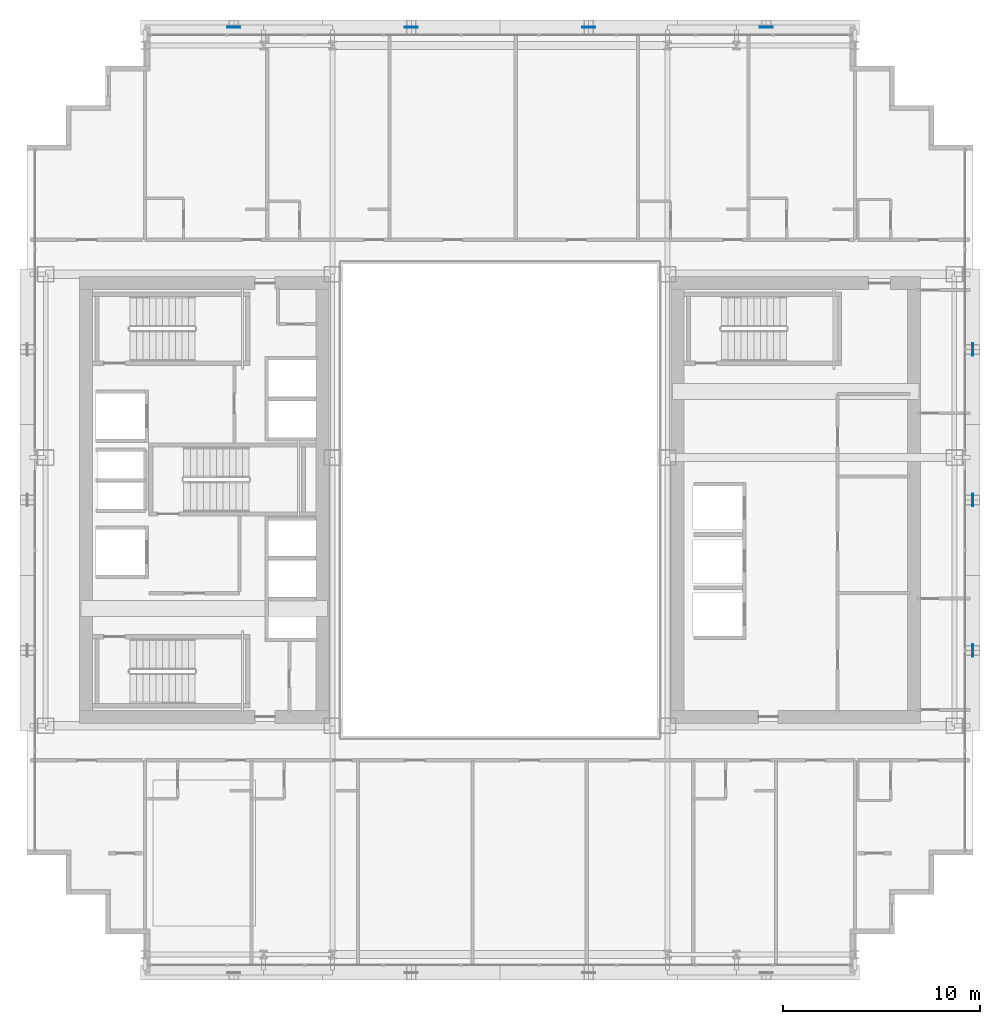
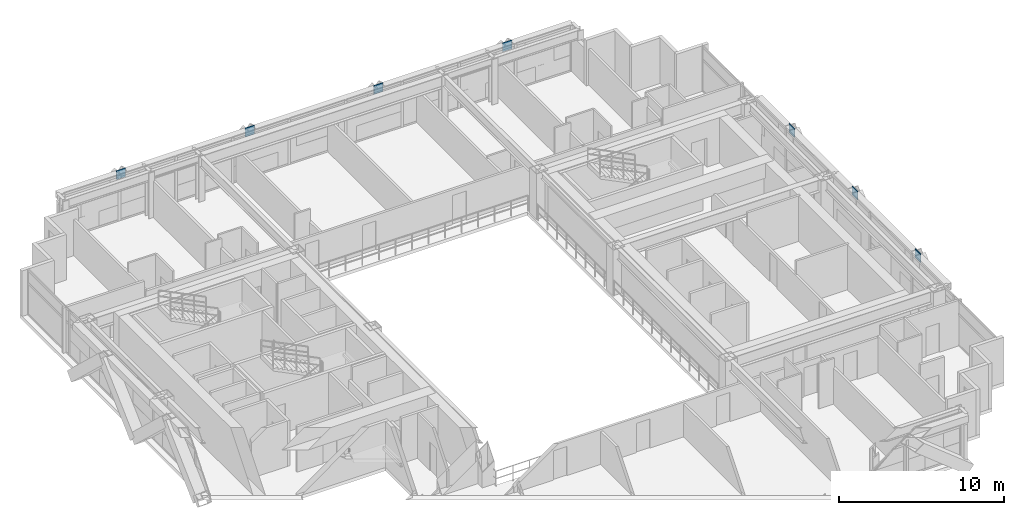
# One storey, part 26 of 35: 7 plates.
"""IFC4 building model written with IfcOpenShell, lengths in metres."""

from ifc_helpers import new_model, si_unit, direction, frame, origin, origin_2d, place, context, subcontext, project, spatial, rectangle, extrude, source, transform, mapped, material, layer, layer_set, type_object, element, save


model = new_model("IFC4")

# Units and contexts
model_context = context("Model", 3, precision=1e-05, world=origin(), true_north=direction((0.0, 1.0)))
body_context = subcontext(model_context, "Body", "Model", "MODEL_VIEW")
ifc_project = project(units=[si_unit("LENGTHUNIT", "METRE"), si_unit("AREAUNIT", "SQUARE_METRE"), si_unit("VOLUMEUNIT", "CUBIC_METRE"), si_unit("PLANEANGLEUNIT", "RADIAN"), si_unit("MASSUNIT", "GRAM", prefix="KILO")], contexts=[model_context])

# Site, building, storey
site_placement = place(None, origin())
site = spatial("IfcSite", under=ifc_project, at=site_placement, CompositionType="ELEMENT")
building_placement = place(site_placement, origin())
building = spatial("IfcBuilding", under=site, at=building_placement, Name="Ocotamira Hotel", CompositionType="ELEMENT")
storey_placement = place(building_placement, frame((0.0, 0.0, 118.800048828125)))
storey = spatial("IfcBuildingStorey", under=building, at=storey_placement, Name="L29", CompositionType="ELEMENT", Elevation=118.800048828125)

# Plates
ifc_material = material(Name="Pale-metal coated steel ASTM A572 Grade 50", Category="steel")
ifc_layer = layer(ifc_material, 0.0400390625)
ifc_layer_set = layer_set([ifc_layer], Name="Pale-metal coated steel ASTM A572 Grade 50")
plate_type = type_object("IfcPlateType", Name="PLT-GUSSET-40", PredefinedType="SHEET", material=ifc_layer_set)
shared_shape_1 = source(origin(), body_context, "Body", "SweptSolid", [
    extrude(rectangle(XDim=0.64990234375, YDim=0.0400390625, at=origin_2d()), origin(), (0.0, 0.0, 1.0), 0.64990234375),
])
for number, where, z_axis, x_axis, name in (
    (1, (18.5, 49.969970703125, 2.784912109375), (0.0, 0.0, 1.0), (1.0, 0.0, 0.0), "L29 Exoskeleton Diagrid N0.1 End Gusset B"),
    (2, (27.5, 49.969970703125, 2.784912109375), (0.0, 0.0, 1.0), (1.0, 0.0, 0.0), "L29 Exoskeleton Diagrid N1.1 End Gusset B"),
    (3, (36.5, 49.969970703125, 2.784912109375), (0.0, 0.0, 1.0), (1.0, 0.0, 0.0), "L29 Exoskeleton Diagrid N2.1 End Gusset B"),
    (4, (45.5, 49.969970703125, 2.784912109375), (0.0, 0.0, 1.0), (1.0, 0.0, 0.0), "L29 Exoskeleton Diagrid N3.1 End Gusset B"),
):
    element("IfcPlate", number, at=place(storey_placement, frame(where, z_axis=z_axis, x_axis=x_axis)), inside=storey, type_object=plate_type, Name=name, PredefinedType="SHEET", context=body_context, shape_type="MappedRepresentation", body=[
        mapped(shared_shape_1, transform((0.0, 0.0, 0.0), scale=1.0)),
    ])
shared_shape_2 = source(origin(), body_context, "Body", "SweptSolid", [
    extrude(rectangle(XDim=0.0400390625, YDim=0.64990234375, at=origin_2d()), origin(), (0.0, 0.0, 1.0), 0.64990234375),
])
for number, where, z_axis, x_axis, name in (
    (5, (55.969970703125, 18.36669921875, 2.784912109375), (0.0, 0.0, 1.0), (1.0, 0.0, 0.0), "L29 Exoskeleton Diagrid E0.1 End Gusset B"),
    (6, (55.969970703125, 26.0, 2.784912109375), (0.0, 0.0, 1.0), (1.0, 0.0, 0.0), "L29 Exoskeleton Diagrid E1.1 End Gusset B"),
    (7, (55.969970703125, 33.63330078125, 2.784912109375), (0.0, 0.0, 1.0), (1.0, 0.0, 0.0), "L29 Exoskeleton Diagrid E2.1 End Gusset B"),
):
    element("IfcPlate", number, at=place(storey_placement, frame(where, z_axis=z_axis, x_axis=x_axis)), inside=storey, type_object=plate_type, Name=name, PredefinedType="SHEET", context=body_context, shape_type="MappedRepresentation", body=[
        mapped(shared_shape_2, transform((0.0, 0.0, 0.0), scale=1.0)),
    ])

save(model, "model.ifc")
